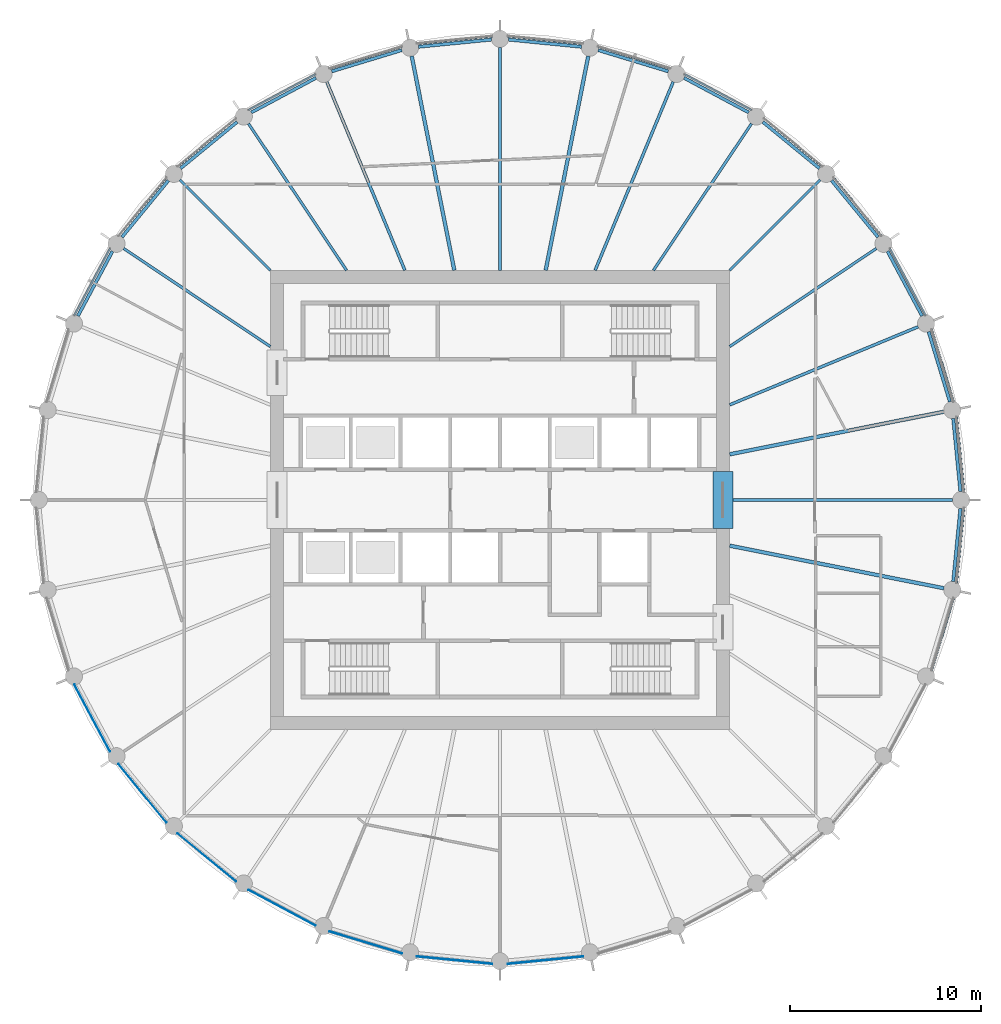
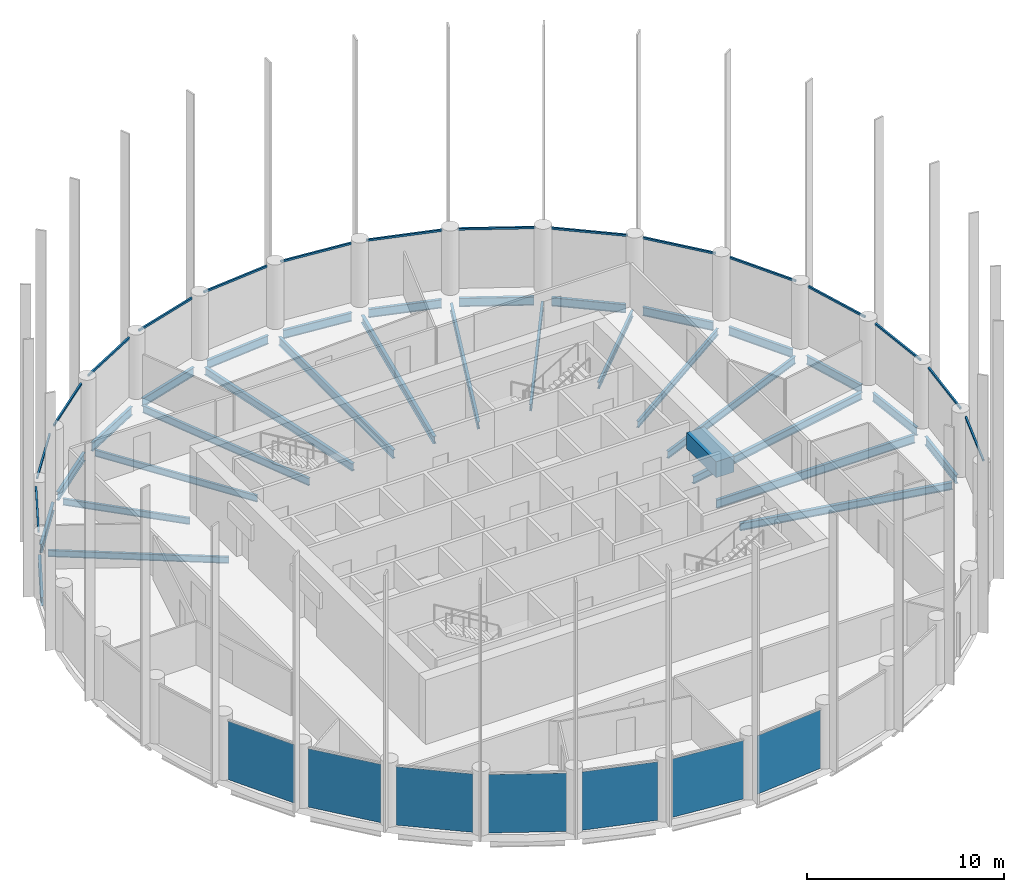
# One storey, part 2 of 9: 31 beams, 16 members, 7 plates, 23 elements without a shape of their own.
"""IFC4 building model written with IfcOpenShell, lengths in metres."""

from ifc_helpers import new_model, si_unit, direction, frame, origin, origin_2d, place, context, subcontext, project, spatial, rectangle, i_section, extrude, material, layer, layer_set, material_profile, profile_set, type_object, element, aggregate, save


model = new_model("IFC4")

# Units and contexts
model_context = context("Model", 3, precision=1e-05, world=origin(), true_north=direction((0.0, 1.0)))
body_context = subcontext(model_context, "Body", "Model", "MODEL_VIEW")
ifc_project = project(units=[si_unit("LENGTHUNIT", "METRE"), si_unit("AREAUNIT", "SQUARE_METRE"), si_unit("VOLUMEUNIT", "CUBIC_METRE"), si_unit("PLANEANGLEUNIT", "RADIAN"), si_unit("MASSUNIT", "GRAM", prefix="KILO")], contexts=[model_context])

# Site, building, storey
site_placement = place(None, origin())
site = spatial("IfcSite", under=ifc_project, at=site_placement, CompositionType="ELEMENT")
building_placement = place(site_placement, origin())
building = spatial("IfcBuilding", under=site, at=building_placement, Name="Corvane Civic Tower", CompositionType="ELEMENT")
storey_placement = place(building_placement, frame((0.0, 0.0, 263.0)))
storey = spatial("IfcBuildingStorey", under=building, at=storey_placement, Name="L62", CompositionType="ELEMENT", Elevation=263.0)

# Beams
ifc_material_1 = material(Name="Concrete C40/50", Category="concrete")
ifc_material_profile_1 = material_profile(ifc_material_1, rectangle(XDim=1.050048828125, YDim=1.0, at=origin_2d()), Name="COUPLING BEAM 1050X1000")
ifc_profile_set_1 = profile_set([ifc_material_profile_1], Name="Concrete C40/50")
beam_type_1 = type_object("IfcBeamType", Name="COUPLING BEAM COUPLING BEAM 1050X1000", PredefinedType="BEAM", material=ifc_profile_set_1)
beam_1_placement = place(storey_placement, frame((11.64990234375, -1.5, 2.60009765625), z_axis=(0.0, 1.0, 0.0), x_axis=(-1.0, 0.0, 0.0)))
element("IfcBeam", 1, at=beam_1_placement, inside=storey, type_object=beam_type_1, Name="BM-L62-cpl-CW-LE", PredefinedType="BEAM", context=body_context, shape_type="SweptSolid", body=[
    extrude(rectangle(XDim=1.050048828125, YDim=1.0, at=origin_2d()), origin(), (0.0, 0.0, 1.0), 3.0),
])
ifc_material_2 = material(Name="Steel ASTM A992 Gr 50", Category="steel")
ifc_material_profile_2 = material_profile(ifc_material_2, i_section(OverallWidth=0.165771484375, OverallDepth=0.5283203125, WebThickness=0.009765625, FlangeThickness=0.013671875, at=origin_2d()), Name="W21X50")
ifc_profile_set_2 = profile_set([ifc_material_profile_2], Name="Steel ASTM A992 Gr 50")
beam_type_2 = type_object("IfcBeamType", Name="EDGE BEAM W21X50", PredefinedType="BEAM", material=ifc_profile_set_2)
for number, where, z_axis, x_axis, name in (
    (2, (0.44775390625, 24.055908203125, -0.714111328125), (0.995187721162, -0.097986732007, 0.0), (0.097986732007, 0.995187721162, 0.0), "BM-L62-E01"),
    (3, (5.13232421875, 23.50634765625, -0.714111328125), (0.95692555902, -0.290333385085, 0.0), (0.290333385085, 0.95692555902, 0.0), "BM-L62-E02"),
):
    element("IfcBeam", number, at=place(storey_placement, frame(where, z_axis=z_axis, x_axis=x_axis)), inside=storey, type_object=beam_type_2, Name=name, PredefinedType="BEAM", context=body_context, shape_type="SweptSolid", body=[
        extrude(i_section(OverallWidth=0.165771484375, OverallDepth=0.5283203125, WebThickness=0.009765625, FlangeThickness=0.013671875, at=origin_2d()), origin(), (0.0, 0.0, 1.0), 3.824462890625),
    ])
beam_2_placement = place(storey_placement, frame((9.61962890625, 22.05322265625, -0.714111328125), z_axis=(0.881914279413, -0.471409804487, 0.0), x_axis=(0.471409804487, 0.881914279413, 0.0)))
element("IfcBeam", 4, at=beam_2_placement, inside=storey, type_object=beam_type_2, Name="BM-L62-E03", PredefinedType="BEAM", context=body_context, shape_type="SweptSolid", body=[
    extrude(i_section(OverallWidth=0.165771484375, OverallDepth=0.5283203125, WebThickness=0.009765625, FlangeThickness=0.013671875, at=origin_2d()), origin(), (0.0, 0.0, 1.0), 3.82421875),
])
for number, where, z_axis, x_axis, name in (
    (5, (13.737060546875, 19.7529296875, -0.714111328125), (0.772997914867, -0.634408562057, 0.0), (0.634408562057, 0.772997914867, 0.0), "BM-L62-E04"),
    (6, (17.32666015625, 16.693359375, -0.714111328125), (0.634408562057, -0.772997914867, 0.0), (0.772997914867, 0.634408562057, 0.0), "BM-L62-E05"),
):
    element("IfcBeam", number, at=place(storey_placement, frame(where, z_axis=z_axis, x_axis=x_axis)), inside=storey, type_object=beam_type_2, Name=name, PredefinedType="BEAM", context=body_context, shape_type="SweptSolid", body=[
        extrude(i_section(OverallWidth=0.165771484375, OverallDepth=0.5283203125, WebThickness=0.009765625, FlangeThickness=0.013671875, at=origin_2d()), origin(), (0.0, 0.0, 1.0), 3.824462890625),
    ])
beam_3_placement = place(storey_placement, frame((20.25048828125, 12.9921875, -0.714111328125), z_axis=(0.471409804487, -0.881914279413, 0.0), x_axis=(0.881914279413, 0.471409804487, 0.0)))
element("IfcBeam", 7, at=beam_3_placement, inside=storey, type_object=beam_type_2, Name="BM-L62-E06", PredefinedType="BEAM", context=body_context, shape_type="SweptSolid", body=[
    extrude(i_section(OverallWidth=0.165771484375, OverallDepth=0.5283203125, WebThickness=0.009765625, FlangeThickness=0.013671875, at=origin_2d()), origin(), (0.0, 0.0, 1.0), 3.82421875),
])
for number, where, z_axis, x_axis, name in (
    (8, (22.39599609375, 8.7919921875, -0.714111328125), (0.290333385085, -0.95692555902, 0.0), (0.95692555902, 0.290333385085, 0.0), "BM-L62-E07"),
    (9, (23.68115234375, 4.25390625, -0.714111328125), (0.097986732007, -0.995187721162, 0.0), (0.995187721162, 0.097986732007, 0.0), "BM-L62-E08"),
    (10, (24.055908203125, -0.44775390625, -0.714111328125), (-0.097986732007, -0.995187721162, 0.0), (0.995187721162, -0.097986732007, 0.0), "BM-L62-E09"),
):
    element("IfcBeam", number, at=place(storey_placement, frame(where, z_axis=z_axis, x_axis=x_axis)), inside=storey, type_object=beam_type_2, Name=name, PredefinedType="BEAM", context=body_context, shape_type="SweptSolid", body=[
        extrude(i_section(OverallWidth=0.165771484375, OverallDepth=0.5283203125, WebThickness=0.009765625, FlangeThickness=0.013671875, at=origin_2d()), origin(), (0.0, 0.0, 1.0), 3.824462890625),
    ])
beam_4_placement = place(storey_placement, frame((-22.05322265625, 9.61962890625, -0.714111328125), z_axis=(0.471409804487, 0.881914279413, 0.0), x_axis=(-0.881914279413, 0.471409804487, 0.0)))
element("IfcBeam", 11, at=beam_4_placement, inside=storey, type_object=beam_type_2, Name="BM-L62-E27", PredefinedType="BEAM", context=body_context, shape_type="SweptSolid", body=[
    extrude(i_section(OverallWidth=0.165771484375, OverallDepth=0.5283203125, WebThickness=0.009765625, FlangeThickness=0.013671875, at=origin_2d()), origin(), (0.0, 0.0, 1.0), 3.82421875),
])
for number, where, z_axis, x_axis, name in (
    (12, (-19.7529296875, 13.737060546875, -0.714111328125), (0.634408562057, 0.772997914867, 0.0), (-0.772997914867, 0.634408562057, 0.0), "BM-L62-E28"),
    (13, (-16.693359375, 17.32666015625, -0.714111328125), (0.772997914867, 0.634408562057, 0.0), (-0.634408562057, 0.772997914867, 0.0), "BM-L62-E29"),
):
    element("IfcBeam", number, at=place(storey_placement, frame(where, z_axis=z_axis, x_axis=x_axis)), inside=storey, type_object=beam_type_2, Name=name, PredefinedType="BEAM", context=body_context, shape_type="SweptSolid", body=[
        extrude(i_section(OverallWidth=0.165771484375, OverallDepth=0.5283203125, WebThickness=0.009765625, FlangeThickness=0.013671875, at=origin_2d()), origin(), (0.0, 0.0, 1.0), 3.824462890625),
    ])
beam_5_placement = place(storey_placement, frame((-12.9921875, 20.25048828125, -0.714111328125), z_axis=(0.881914279413, 0.471409804487, 0.0), x_axis=(-0.471409804487, 0.881914279413, 0.0)))
element("IfcBeam", 14, at=beam_5_placement, inside=storey, type_object=beam_type_2, Name="BM-L62-E30", PredefinedType="BEAM", context=body_context, shape_type="SweptSolid", body=[
    extrude(i_section(OverallWidth=0.165771484375, OverallDepth=0.5283203125, WebThickness=0.009765625, FlangeThickness=0.013671875, at=origin_2d()), origin(), (0.0, 0.0, 1.0), 3.82421875),
])
for number, where, z_axis, x_axis, name in (
    (15, (-8.7919921875, 22.39599609375, -0.714111328125), (0.95692555902, 0.290333385085, 0.0), (-0.290333385085, 0.95692555902, 0.0), "BM-L62-E31"),
    (16, (-4.25390625, 23.68115234375, -0.714111328125), (0.995187721162, 0.097986732007, 0.0), (-0.097986732007, 0.995187721162, 0.0), "BM-L62-E32"),
):
    element("IfcBeam", number, at=place(storey_placement, frame(where, z_axis=z_axis, x_axis=x_axis)), inside=storey, type_object=beam_type_2, Name=name, PredefinedType="BEAM", context=body_context, shape_type="SweptSolid", body=[
        extrude(i_section(OverallWidth=0.165771484375, OverallDepth=0.5283203125, WebThickness=0.009765625, FlangeThickness=0.013671875, at=origin_2d()), origin(), (0.0, 0.0, 1.0), 3.824462890625),
    ])
ifc_material_3 = material(Name="Steel ASTM A992 Gr 50", Category="steel")
ifc_material_profile_3 = material_profile(ifc_material_3, i_section(OverallWidth=0.140380859375, OverallDepth=0.40380859375, WebThickness=0.007080078125, FlangeThickness=0.01123046875, at=origin_2d()), Name="W16X31")
ifc_profile_set_3 = profile_set([ifc_material_profile_3], Name="Steel ASTM A992 Gr 50")
beam_type_3 = type_object("IfcBeamType", Name="FLOOR GIRDER W16X31", PredefinedType="BEAM", material=ifc_profile_set_3)
beam_6_placement = place(storey_placement, frame((8.01806640625, 12.0, -0.65185546875), z_axis=(0.555567816355, 0.831471227061, 0.0), x_axis=(-0.831471227061, 0.555567816355, 0.0)))
element("IfcBeam", 17, at=beam_6_placement, inside=storey, type_object=beam_type_3, Name="BM-L62-G04", PredefinedType="BEAM", context=body_context, shape_type="SweptSolid", body=[
    extrude(i_section(OverallWidth=0.140380859375, OverallDepth=0.40380859375, WebThickness=0.007080078125, FlangeThickness=0.01123046875, at=origin_2d()), origin(), (0.0, 0.0, 1.0), 9.2177734375),
])
beam_7_placement = place(storey_placement, frame((12.0, 12.0, -0.65185546875), z_axis=(0.707106781187, 0.707106781187, 0.0), x_axis=(-0.707106781187, 0.707106781187, 0.0)))
element("IfcBeam", 18, at=beam_7_placement, inside=storey, type_object=beam_type_3, Name="BM-L62-G05", PredefinedType="BEAM", context=body_context, shape_type="SweptSolid", body=[
    extrude(i_section(OverallWidth=0.140380859375, OverallDepth=0.40380859375, WebThickness=0.007080078125, FlangeThickness=0.01123046875, at=origin_2d()), origin(), (0.0, 0.0, 1.0), 6.679443359375),
])
for number, where, z_axis, x_axis, name in (
    (19, (12.0, 8.01806640625, -0.65185546875), (0.831471227061, 0.555567816355, 0.0), (-0.555567816355, 0.831471227061, 0.0), "BM-L62-G06"),
    (20, (-12.0, 8.01806640625, -0.65185546875), (-0.831471227061, 0.555567816355, 0.0), (-0.555567816355, -0.831471227061, 0.0), "BM-L62-G28"),
):
    element("IfcBeam", number, at=place(storey_placement, frame(where, z_axis=z_axis, x_axis=x_axis)), inside=storey, type_object=beam_type_3, Name=name, PredefinedType="BEAM", context=body_context, shape_type="SweptSolid", body=[
        extrude(i_section(OverallWidth=0.140380859375, OverallDepth=0.40380859375, WebThickness=0.007080078125, FlangeThickness=0.01123046875, at=origin_2d()), origin(), (0.0, 0.0, 1.0), 9.2177734375),
    ])
beam_8_placement = place(storey_placement, frame((-12.0, 12.0, -0.65185546875), z_axis=(-0.707106781187, 0.707106781187, 0.0), x_axis=(-0.707106781187, -0.707106781187, 0.0)))
element("IfcBeam", 21, at=beam_8_placement, inside=storey, type_object=beam_type_3, Name="BM-L62-G29", PredefinedType="BEAM", context=body_context, shape_type="SweptSolid", body=[
    extrude(i_section(OverallWidth=0.140380859375, OverallDepth=0.40380859375, WebThickness=0.007080078125, FlangeThickness=0.01123046875, at=origin_2d()), origin(), (0.0, 0.0, 1.0), 6.679443359375),
])
beam_9_placement = place(storey_placement, frame((-8.01806640625, 12.0, -0.65185546875), z_axis=(-0.555567816355, 0.831471227061, 0.0), x_axis=(-0.831471227061, -0.555567816355, 0.0)))
element("IfcBeam", 22, at=beam_9_placement, inside=storey, type_object=beam_type_3, Name="BM-L62-G30", PredefinedType="BEAM", context=body_context, shape_type="SweptSolid", body=[
    extrude(i_section(OverallWidth=0.140380859375, OverallDepth=0.40380859375, WebThickness=0.007080078125, FlangeThickness=0.01123046875, at=origin_2d()), origin(), (0.0, 0.0, 1.0), 9.2177734375),
])
ifc_material_4 = material(Name="Steel ASTM A992 Gr 50", Category="steel")
ifc_material_profile_4 = material_profile(ifc_material_4, i_section(OverallWidth=0.15283203125, OverallDepth=0.45458984375, WebThickness=0.008056640625, FlangeThickness=0.013427734375, at=origin_2d()), Name="W18X40")
ifc_profile_set_4 = profile_set([ifc_material_profile_4], Name="Steel ASTM A992 Gr 50")
beam_type_4 = type_object("IfcBeamType", Name="FLOOR GIRDER W18X40", PredefinedType="BEAM", material=ifc_profile_set_4)
for number, where, z_axis, x_axis, name in (
    (23, (4.970458984375, 12.0, -0.67724609375), (0.382694257331, 0.923875048589, 0.0), (-0.923875048589, 0.382694257331, 0.0), "BM-L62-G03"),
    (24, (12.0, 4.970458984375, -0.67724609375), (0.923875048589, 0.382694257331, 0.0), (-0.382694257331, 0.923875048589, 0.0), "BM-L62-G07"),
    (25, (-4.970458984375, 12.0, -0.67724609375), (-0.382694257331, 0.923875048589, 0.0), (-0.923875048589, -0.382694257331, 0.0), "BM-L62-G31"),
):
    element("IfcBeam", number, at=place(storey_placement, frame(where, z_axis=z_axis, x_axis=x_axis)), inside=storey, type_object=beam_type_4, Name=name, PredefinedType="BEAM", context=body_context, shape_type="SweptSolid", body=[
        extrude(i_section(OverallWidth=0.15283203125, OverallDepth=0.45458984375, WebThickness=0.008056640625, FlangeThickness=0.013427734375, at=origin_2d()), origin(), (0.0, 0.0, 1.0), 10.661376953125),
    ])
ifc_material_5 = material(Name="Steel ASTM A992 Gr 50", Category="steel")
ifc_material_profile_5 = material_profile(ifc_material_5, i_section(OverallWidth=0.1904296875, OverallDepth=0.457275390625, WebThickness=0.009033203125, FlangeThickness=0.014404296875, at=origin_2d()), Name="W18X50")
ifc_profile_set_5 = profile_set([ifc_material_profile_5], Name="Steel ASTM A992 Gr 50")
beam_type_5 = type_object("IfcBeamType", Name="FLOOR GIRDER W18X50", PredefinedType="BEAM", material=ifc_profile_set_5)
for number, where, z_axis, x_axis, name in (
    (26, (2.386962890625, 12.0, -0.6787109375), (0.195079532402, 0.980787426529, 0.0), (-0.980787426529, 0.195079532402, 0.0), "BM-L62-G02"),
    (27, (12.0, 2.386962890625, -0.6787109375), (0.980787426529, 0.195079532402, 0.0), (-0.195079532402, 0.980787426529, 0.0), "BM-L62-G08"),
    (28, (12.0, -2.386962890625, -0.6787109375), (0.980787426529, -0.195079532402, 0.0), (0.195079532402, 0.980787426529, 0.0), "BM-L62-G10"),
    (29, (-2.386962890625, 12.0, -0.6787109375), (-0.195079532402, 0.980787426529, 0.0), (-0.980787426529, -0.195079532402, 0.0), "BM-L62-G32"),
):
    element("IfcBeam", number, at=place(storey_placement, frame(where, z_axis=z_axis, x_axis=x_axis)), inside=storey, type_object=beam_type_5, Name=name, PredefinedType="BEAM", context=body_context, shape_type="SweptSolid", body=[
        extrude(i_section(OverallWidth=0.1904296875, OverallDepth=0.457275390625, WebThickness=0.009033203125, FlangeThickness=0.014404296875, at=origin_2d()), origin(), (0.0, 0.0, 1.0), 11.414794921875),
    ])
ifc_material_6 = material(Name="Steel ASTM A992 Gr 50", Category="steel")
ifc_material_profile_6 = material_profile(ifc_material_6, i_section(OverallWidth=0.165771484375, OverallDepth=0.5283203125, WebThickness=0.009765625, FlangeThickness=0.013671875, at=origin_2d()), Name="W21X50")
ifc_profile_set_6 = profile_set([ifc_material_profile_6], Name="Steel ASTM A992 Gr 50")
beam_type_6 = type_object("IfcBeamType", Name="FLOOR GIRDER W21X50", PredefinedType="BEAM", material=ifc_profile_set_6)
for number, where, z_axis, x_axis, name in (
    (30, (0.0, 12.0, -0.714111328125), (0.0, 1.0, 0.0), (-1.0, 0.0, 0.0), "BM-L62-G01"),
    (31, (12.0, 0.0, -0.714111328125), (1.0, 0.0, 0.0), (0.0, 1.0, 0.0), "BM-L62-G09"),
):
    element("IfcBeam", number, at=place(storey_placement, frame(where, z_axis=z_axis, x_axis=x_axis)), inside=storey, type_object=beam_type_6, Name=name, PredefinedType="BEAM", context=body_context, shape_type="SweptSolid", body=[
        extrude(i_section(OverallWidth=0.165771484375, OverallDepth=0.5283203125, WebThickness=0.009765625, FlangeThickness=0.013671875, at=origin_2d()), origin(), (0.0, 0.0, 1.0), 11.64990234375),
    ])

# Curtain wall, member
ifc_material_7 = material(Name="Anodised aluminium bronze", Category="aluminium")
curtain_wall_type = type_object("IfcCurtainWallType", Name="TOWER CW-T3 STICK CURTAIN WALL", PredefinedType="NOTDEFINED", material=ifc_material_7)
curtain_wall_1_placement = place(storey_placement, origin())
curtain_wall_1 = element("IfcCurtainWall", 32, at=curtain_wall_1_placement, inside=storey, type_object=curtain_wall_type, Name="Curtain wall CW-T3 L62 bay 01", PredefinedType="NOTDEFINED")
ifc_material_8 = material(Name="Anodised aluminium bronze", Category="aluminium")
ifc_material_profile_7 = material_profile(ifc_material_8, rectangle(XDim=0.10009765625, YDim=0.1201171875, at=origin_2d()), Name="TOWER CW-T3 TRANSOM 100x120")
ifc_profile_set_7 = profile_set([ifc_material_profile_7], Name="Anodised aluminium bronze")
member_type = type_object("IfcMemberType", Name="TOWER CW-T3 TRANSOM 100x120", PredefinedType="USERDEFINED", material=ifc_profile_set_7)
member_1_placement = place(storey_placement, frame((0.3984375, 24.24072265625, 3.68994140625), z_axis=(0.995186866683, -0.097995409999, 0.0), x_axis=(0.097995409999, 0.995186866683, 0.0)))
member_1 = element("IfcMember", 33, at=member_1_placement, type_object=member_type, Name="Transom CW-T3 L62 01.1", ObjectType="TRANSOM", PredefinedType="USERDEFINED", context=body_context, shape_type="SweptSolid", body=[
    extrude(rectangle(XDim=0.10009765625, YDim=0.1201171875, at=origin_2d()), origin(), (0.0, 0.0, 1.0), 3.958740234375),
])
aggregate(curtain_wall_1, [member_1])

curtain_wall_2_placement = place(storey_placement, origin())
curtain_wall_2 = element("IfcCurtainWall", 34, at=curtain_wall_2_placement, inside=storey, type_object=curtain_wall_type, Name="Curtain wall CW-T3 L62 bay 02", PredefinedType="NOTDEFINED")
member_2_placement = place(storey_placement, frame((5.119873046875, 23.697265625, 3.68994140625), z_axis=(0.956946054205, -0.290265825309, 0.0), x_axis=(0.290265825309, 0.956946054205, 0.0)))
member_2 = element("IfcMember", 35, at=member_2_placement, type_object=member_type, Name="Transom CW-T3 L62 02.1", ObjectType="TRANSOM", PredefinedType="USERDEFINED", context=body_context, shape_type="SweptSolid", body=[
    extrude(rectangle(XDim=0.10009765625, YDim=0.1201171875, at=origin_2d()), origin(), (0.0, 0.0, 1.0), 3.958984375),
])
aggregate(curtain_wall_2, [member_2])

curtain_wall_3_placement = place(storey_placement, origin())
curtain_wall_3 = element("IfcCurtainWall", 36, at=curtain_wall_3_placement, inside=storey, type_object=curtain_wall_type, Name="Curtain wall CW-T3 L62 bay 03", PredefinedType="NOTDEFINED")
member_3_placement = place(storey_placement, frame((9.644775390625, 22.2431640625, 3.68994140625), z_axis=(0.881883040816, -0.471468241052, 0.0), x_axis=(0.471468241052, 0.881883040816, 0.0)))
member_3 = element("IfcMember", 37, at=member_3_placement, type_object=member_type, Name="Transom CW-T3 L62 03.1", ObjectType="TRANSOM", PredefinedType="USERDEFINED", context=body_context, shape_type="SweptSolid", body=[
    extrude(rectangle(XDim=0.10009765625, YDim=0.1201171875, at=origin_2d()), origin(), (0.0, 0.0, 1.0), 3.958740234375),
])
aggregate(curtain_wall_3, [member_3])

curtain_wall_4_placement = place(storey_placement, origin())
curtain_wall_4 = element("IfcCurtainWall", 38, at=curtain_wall_4_placement, inside=storey, type_object=curtain_wall_type, Name="Curtain wall CW-T3 L62 bay 04", PredefinedType="NOTDEFINED")
member_4_placement = place(storey_placement, frame((13.798828125, 19.93408203125, 3.68994140625), z_axis=(0.772991943051, -0.634415838373, 0.0), x_axis=(0.634415838373, 0.772991943051, 0.0)))
member_4 = element("IfcMember", 39, at=member_4_placement, type_object=member_type, Name="Transom CW-T3 L62 04.1", ObjectType="TRANSOM", PredefinedType="USERDEFINED", context=body_context, shape_type="SweptSolid", body=[
    extrude(rectangle(XDim=0.10009765625, YDim=0.1201171875, at=origin_2d()), origin(), (0.0, 0.0, 1.0), 3.958740234375),
])
aggregate(curtain_wall_4, [member_4])

curtain_wall_5_placement = place(storey_placement, origin())
curtain_wall_5 = element("IfcCurtainWall", 40, at=curtain_wall_5_placement, inside=storey, type_object=curtain_wall_type, Name="Curtain wall CW-T3 L62 bay 05", PredefinedType="NOTDEFINED")
member_5_placement = place(storey_placement, frame((17.422607421875, 16.85888671875, 3.68994140625), z_axis=(0.634415838373, -0.772991943051, 0.0), x_axis=(0.772991943051, 0.634415838373, 0.0)))
member_5 = element("IfcMember", 41, at=member_5_placement, type_object=member_type, Name="Transom CW-T3 L62 05.1", ObjectType="TRANSOM", PredefinedType="USERDEFINED", context=body_context, shape_type="SweptSolid", body=[
    extrude(rectangle(XDim=0.10009765625, YDim=0.1201171875, at=origin_2d()), origin(), (0.0, 0.0, 1.0), 3.958740234375),
])
aggregate(curtain_wall_5, [member_5])

curtain_wall_6_placement = place(storey_placement, origin())
curtain_wall_6 = element("IfcCurtainWall", 42, at=curtain_wall_6_placement, inside=storey, type_object=curtain_wall_type, Name="Curtain wall CW-T3 L62 bay 06", PredefinedType="NOTDEFINED")
member_6_placement = place(storey_placement, frame((20.376708984375, 13.135986328125, 3.68994140625), z_axis=(0.471468241052, -0.881883040816, 0.0), x_axis=(0.881883040816, 0.471468241052, 0.0)))
member_6 = element("IfcMember", 43, at=member_6_placement, type_object=member_type, Name="Transom CW-T3 L62 06.1", ObjectType="TRANSOM", PredefinedType="USERDEFINED", context=body_context, shape_type="SweptSolid", body=[
    extrude(rectangle(XDim=0.10009765625, YDim=0.1201171875, at=origin_2d()), origin(), (0.0, 0.0, 1.0), 3.958740234375),
])
aggregate(curtain_wall_6, [member_6])

curtain_wall_7_placement = place(storey_placement, origin())
curtain_wall_7 = element("IfcCurtainWall", 44, at=curtain_wall_7_placement, inside=storey, type_object=curtain_wall_type, Name="Curtain wall CW-T3 L62 bay 07", PredefinedType="NOTDEFINED")
member_7_placement = place(storey_placement, frame((22.548095703125, 8.908447265625, 3.68994140625), z_axis=(0.290265825309, -0.956946054205, 0.0), x_axis=(0.956946054205, 0.290265825309, 0.0)))
member_7 = element("IfcMember", 45, at=member_7_placement, type_object=member_type, Name="Transom CW-T3 L62 07.1", ObjectType="TRANSOM", PredefinedType="USERDEFINED", context=body_context, shape_type="SweptSolid", body=[
    extrude(rectangle(XDim=0.10009765625, YDim=0.1201171875, at=origin_2d()), origin(), (0.0, 0.0, 1.0), 3.958984375),
])
aggregate(curtain_wall_7, [member_7])

curtain_wall_8_placement = place(storey_placement, origin())
curtain_wall_8 = element("IfcCurtainWall", 46, at=curtain_wall_8_placement, inside=storey, type_object=curtain_wall_type, Name="Curtain wall CW-T3 L62 bay 08", PredefinedType="NOTDEFINED")
member_8_placement = place(storey_placement, frame((23.852783203125, 4.338134765625, 3.68994140625), z_axis=(0.097995409999, -0.995186866683, 0.0), x_axis=(0.995186866683, 0.097995409999, 0.0)))
member_8 = element("IfcMember", 47, at=member_8_placement, type_object=member_type, Name="Transom CW-T3 L62 08.1", ObjectType="TRANSOM", PredefinedType="USERDEFINED", context=body_context, shape_type="SweptSolid", body=[
    extrude(rectangle(XDim=0.10009765625, YDim=0.1201171875, at=origin_2d()), origin(), (0.0, 0.0, 1.0), 3.958740234375),
])
aggregate(curtain_wall_8, [member_8])

curtain_wall_9_placement = place(storey_placement, origin())
curtain_wall_9 = element("IfcCurtainWall", 48, at=curtain_wall_9_placement, inside=storey, type_object=curtain_wall_type, Name="Curtain wall CW-T3 L62 bay 09", PredefinedType="NOTDEFINED")
member_9_placement = place(storey_placement, frame((24.24072265625, -0.3984375, 3.68994140625), z_axis=(-0.097995409999, -0.995186866683, 0.0), x_axis=(0.995186866683, -0.097995409999, 0.0)))
member_9 = element("IfcMember", 49, at=member_9_placement, type_object=member_type, Name="Transom CW-T3 L62 09.1", ObjectType="TRANSOM", PredefinedType="USERDEFINED", context=body_context, shape_type="SweptSolid", body=[
    extrude(rectangle(XDim=0.10009765625, YDim=0.1201171875, at=origin_2d()), origin(), (0.0, 0.0, 1.0), 3.958740234375),
])
aggregate(curtain_wall_9, [member_9])

curtain_wall_10_placement = place(storey_placement, origin())
curtain_wall_10 = element("IfcCurtainWall", 50, at=curtain_wall_10_placement, inside=storey, type_object=curtain_wall_type, Name="Curtain wall CW-T3 L62 bay 10", PredefinedType="NOTDEFINED")
member_10_placement = place(storey_placement, frame((23.697265625, -5.119873046875, 3.68994140625), z_axis=(-0.290265825309, -0.956946054205, 0.0), x_axis=(0.956946054205, -0.290265825309, 0.0)))
member_10 = element("IfcMember", 51, at=member_10_placement, type_object=member_type, Name="Transom CW-T3 L62 10.1", ObjectType="TRANSOM", PredefinedType="USERDEFINED", context=body_context, shape_type="SweptSolid", body=[
    extrude(rectangle(XDim=0.10009765625, YDim=0.1201171875, at=origin_2d()), origin(), (0.0, 0.0, 1.0), 3.958984375),
])
aggregate(curtain_wall_10, [member_10])

curtain_wall_11_placement = place(storey_placement, origin())
curtain_wall_11 = element("IfcCurtainWall", 52, at=curtain_wall_11_placement, inside=storey, type_object=curtain_wall_type, Name="Curtain wall CW-T3 L62 bay 27", PredefinedType="NOTDEFINED")
member_11_placement = place(storey_placement, frame((-22.2431640625, 9.644775390625, 3.68994140625), z_axis=(0.471468241052, 0.881883040816, 0.0), x_axis=(-0.881883040816, 0.471468241052, 0.0)))
member_11 = element("IfcMember", 53, at=member_11_placement, type_object=member_type, Name="Transom CW-T3 L62 27.1", ObjectType="TRANSOM", PredefinedType="USERDEFINED", context=body_context, shape_type="SweptSolid", body=[
    extrude(rectangle(XDim=0.10009765625, YDim=0.1201171875, at=origin_2d()), origin(), (0.0, 0.0, 1.0), 3.958740234375),
])
aggregate(curtain_wall_11, [member_11])

curtain_wall_12_placement = place(storey_placement, origin())
curtain_wall_12 = element("IfcCurtainWall", 54, at=curtain_wall_12_placement, inside=storey, type_object=curtain_wall_type, Name="Curtain wall CW-T3 L62 bay 28", PredefinedType="NOTDEFINED")
member_12_placement = place(storey_placement, frame((-19.93408203125, 13.798828125, 3.68994140625), z_axis=(0.634415838373, 0.772991943051, 0.0), x_axis=(-0.772991943051, 0.634415838373, 0.0)))
member_12 = element("IfcMember", 55, at=member_12_placement, type_object=member_type, Name="Transom CW-T3 L62 28.1", ObjectType="TRANSOM", PredefinedType="USERDEFINED", context=body_context, shape_type="SweptSolid", body=[
    extrude(rectangle(XDim=0.10009765625, YDim=0.1201171875, at=origin_2d()), origin(), (0.0, 0.0, 1.0), 3.958740234375),
])
aggregate(curtain_wall_12, [member_12])

curtain_wall_13_placement = place(storey_placement, origin())
curtain_wall_13 = element("IfcCurtainWall", 56, at=curtain_wall_13_placement, inside=storey, type_object=curtain_wall_type, Name="Curtain wall CW-T3 L62 bay 29", PredefinedType="NOTDEFINED")
member_13_placement = place(storey_placement, frame((-16.85888671875, 17.422607421875, 3.68994140625), z_axis=(0.772991943051, 0.634415838373, 0.0), x_axis=(-0.634415838373, 0.772991943051, 0.0)))
member_13 = element("IfcMember", 57, at=member_13_placement, type_object=member_type, Name="Transom CW-T3 L62 29.1", ObjectType="TRANSOM", PredefinedType="USERDEFINED", context=body_context, shape_type="SweptSolid", body=[
    extrude(rectangle(XDim=0.10009765625, YDim=0.1201171875, at=origin_2d()), origin(), (0.0, 0.0, 1.0), 3.958740234375),
])
aggregate(curtain_wall_13, [member_13])

curtain_wall_14_placement = place(storey_placement, origin())
curtain_wall_14 = element("IfcCurtainWall", 58, at=curtain_wall_14_placement, inside=storey, type_object=curtain_wall_type, Name="Curtain wall CW-T3 L62 bay 30", PredefinedType="NOTDEFINED")
member_14_placement = place(storey_placement, frame((-13.135986328125, 20.376708984375, 3.68994140625), z_axis=(0.881883040816, 0.471468241052, 0.0), x_axis=(-0.471468241052, 0.881883040816, 0.0)))
member_14 = element("IfcMember", 59, at=member_14_placement, type_object=member_type, Name="Transom CW-T3 L62 30.1", ObjectType="TRANSOM", PredefinedType="USERDEFINED", context=body_context, shape_type="SweptSolid", body=[
    extrude(rectangle(XDim=0.10009765625, YDim=0.1201171875, at=origin_2d()), origin(), (0.0, 0.0, 1.0), 3.958740234375),
])
aggregate(curtain_wall_14, [member_14])

curtain_wall_15_placement = place(storey_placement, origin())
curtain_wall_15 = element("IfcCurtainWall", 60, at=curtain_wall_15_placement, inside=storey, type_object=curtain_wall_type, Name="Curtain wall CW-T3 L62 bay 31", PredefinedType="NOTDEFINED")
member_15_placement = place(storey_placement, frame((-8.908447265625, 22.548095703125, 3.68994140625), z_axis=(0.956946054205, 0.290265825309, 0.0), x_axis=(-0.290265825309, 0.956946054205, 0.0)))
member_15 = element("IfcMember", 61, at=member_15_placement, type_object=member_type, Name="Transom CW-T3 L62 31.1", ObjectType="TRANSOM", PredefinedType="USERDEFINED", context=body_context, shape_type="SweptSolid", body=[
    extrude(rectangle(XDim=0.10009765625, YDim=0.1201171875, at=origin_2d()), origin(), (0.0, 0.0, 1.0), 3.958984375),
])
aggregate(curtain_wall_15, [member_15])

curtain_wall_16_placement = place(storey_placement, origin())
curtain_wall_16 = element("IfcCurtainWall", 62, at=curtain_wall_16_placement, inside=storey, type_object=curtain_wall_type, Name="Curtain wall CW-T3 L62 bay 32", PredefinedType="NOTDEFINED")
member_16_placement = place(storey_placement, frame((-4.338134765625, 23.852783203125, 3.68994140625), z_axis=(0.995186866683, 0.097995409999, 0.0), x_axis=(-0.097995409999, 0.995186866683, 0.0)))
member_16 = element("IfcMember", 63, at=member_16_placement, type_object=member_type, Name="Transom CW-T3 L62 32.1", ObjectType="TRANSOM", PredefinedType="USERDEFINED", context=body_context, shape_type="SweptSolid", body=[
    extrude(rectangle(XDim=0.10009765625, YDim=0.1201171875, at=origin_2d()), origin(), (0.0, 0.0, 1.0), 3.958740234375),
])
aggregate(curtain_wall_16, [member_16])

# Curtain wall, plate
curtain_wall_17_placement = place(storey_placement, origin())
curtain_wall_17 = element("IfcCurtainWall", 64, at=curtain_wall_17_placement, inside=storey, type_object=curtain_wall_type, Name="Curtain wall CW-T3 L62 bay 16", PredefinedType="NOTDEFINED")
ifc_material_9 = material(Name="Tinted glass", Category="glass")
ifc_layer = layer(ifc_material_9, 0.028076171875)
ifc_layer_set = layer_set([ifc_layer], Name="Tinted glass")
plate_type = type_object("IfcPlateType", Name="TOWER CW-T3 PANEL IGU28", PredefinedType="CURTAIN_PANEL", material=ifc_layer_set)
plate_1_placement = place(storey_placement, frame((2.368408203125, -24.046875, 0.0), z_axis=(0.0, 0.0, 1.0), x_axis=(-0.99518437747, -0.098020685775, 0.0)))
plate_1 = element("IfcPlate", 65, at=plate_1_placement, type_object=plate_type, Name="Glass panel CW-T3 L62 16.1", PredefinedType="CURTAIN_PANEL", context=body_context, shape_type="SweptSolid", body=[
    extrude(rectangle(XDim=3.958740234375, YDim=0.028076171875, at=origin_2d()), origin(), (0.0, 0.0, 1.0), 3.6298828125),
])
aggregate(curtain_wall_17, [plate_1])

curtain_wall_18_placement = place(storey_placement, origin())
curtain_wall_18 = element("IfcCurtainWall", 66, at=curtain_wall_18_placement, inside=storey, type_object=curtain_wall_type, Name="Curtain wall CW-T3 L62 bay 17", PredefinedType="NOTDEFINED")
plate_2_placement = place(storey_placement, frame((-2.368408203125, -24.046875, 0.0), z_axis=(0.0, 0.0, 1.0), x_axis=(-0.99518437747, 0.098020685775, 0.0)))
plate_2 = element("IfcPlate", 67, at=plate_2_placement, type_object=plate_type, Name="Glass panel CW-T3 L62 17.1", PredefinedType="CURTAIN_PANEL", context=body_context, shape_type="SweptSolid", body=[
    extrude(rectangle(XDim=3.958740234375, YDim=0.028076171875, at=origin_2d()), origin(), (0.0, 0.0, 1.0), 3.6298828125),
])
aggregate(curtain_wall_18, [plate_2])

curtain_wall_19_placement = place(storey_placement, origin())
curtain_wall_19 = element("IfcCurtainWall", 68, at=curtain_wall_19_placement, inside=storey, type_object=curtain_wall_type, Name="Curtain wall CW-T3 L62 bay 18", PredefinedType="NOTDEFINED")
plate_3_placement = place(storey_placement, frame((-7.01416015625, -23.12255859375, 0.0), z_axis=(0.0, 0.0, 1.0), x_axis=(-0.956943694519, 0.290273604586, 0.0)))
plate_3 = element("IfcPlate", 69, at=plate_3_placement, type_object=plate_type, Name="Glass panel CW-T3 L62 18.1", PredefinedType="CURTAIN_PANEL", context=body_context, shape_type="SweptSolid", body=[
    extrude(rectangle(XDim=3.958984375, YDim=0.028076171875, at=origin_2d()), origin(), (0.0, 0.0, 1.0), 3.6298828125),
])
aggregate(curtain_wall_19, [plate_3])

curtain_wall_20_placement = place(storey_placement, origin())
curtain_wall_20 = element("IfcCurtainWall", 70, at=curtain_wall_20_placement, inside=storey, type_object=curtain_wall_type, Name="Curtain wall CW-T3 L62 bay 19", PredefinedType="NOTDEFINED")
plate_4_placement = place(storey_placement, frame((-11.390380859375, -21.31005859375, 0.0), z_axis=(0.0, 0.0, 1.0), x_axis=(-0.881908138655, 0.471421292448, 0.0)))
plate_4 = element("IfcPlate", 71, at=plate_4_placement, type_object=plate_type, Name="Glass panel CW-T3 L62 19.1", PredefinedType="CURTAIN_PANEL", context=body_context, shape_type="SweptSolid", body=[
    extrude(rectangle(XDim=3.958740234375, YDim=0.028076171875, at=origin_2d()), origin(), (0.0, 0.0, 1.0), 3.6298828125),
])
aggregate(curtain_wall_20, [plate_4])

curtain_wall_21_placement = place(storey_placement, origin())
curtain_wall_21 = element("IfcCurtainWall", 72, at=curtain_wall_21_placement, inside=storey, type_object=curtain_wall_type, Name="Curtain wall CW-T3 L62 bay 20", PredefinedType="NOTDEFINED")
plate_5_placement = place(storey_placement, frame((-15.328857421875, -18.67822265625, 0.0), z_axis=(0.0, 0.0, 1.0), x_axis=(-0.773001130565, 0.634404643855, 0.0)))
plate_5 = element("IfcPlate", 73, at=plate_5_placement, type_object=plate_type, Name="Glass panel CW-T3 L62 20.1", PredefinedType="CURTAIN_PANEL", context=body_context, shape_type="SweptSolid", body=[
    extrude(rectangle(XDim=3.958740234375, YDim=0.028076171875, at=origin_2d()), origin(), (0.0, 0.0, 1.0), 3.6298828125),
])
aggregate(curtain_wall_21, [plate_5])

curtain_wall_22_placement = place(storey_placement, origin())
curtain_wall_22 = element("IfcCurtainWall", 74, at=curtain_wall_22_placement, inside=storey, type_object=curtain_wall_type, Name="Curtain wall CW-T3 L62 bay 21", PredefinedType="NOTDEFINED")
plate_6_placement = place(storey_placement, frame((-18.67822265625, -15.328857421875, 0.0), z_axis=(0.0, 0.0, 1.0), x_axis=(-0.634404643855, 0.773001130565, 0.0)))
plate_6 = element("IfcPlate", 75, at=plate_6_placement, type_object=plate_type, Name="Glass panel CW-T3 L62 21.1", PredefinedType="CURTAIN_PANEL", context=body_context, shape_type="SweptSolid", body=[
    extrude(rectangle(XDim=3.958740234375, YDim=0.028076171875, at=origin_2d()), origin(), (0.0, 0.0, 1.0), 3.6298828125),
])
aggregate(curtain_wall_22, [plate_6])

curtain_wall_23_placement = place(storey_placement, origin())
curtain_wall_23 = element("IfcCurtainWall", 76, at=curtain_wall_23_placement, inside=storey, type_object=curtain_wall_type, Name="Curtain wall CW-T3 L62 bay 22", PredefinedType="NOTDEFINED")
plate_7_placement = place(storey_placement, frame((-21.31005859375, -11.390380859375, 0.0), z_axis=(0.0, 0.0, 1.0), x_axis=(-0.471421292448, 0.881908138655, 0.0)))
plate_7 = element("IfcPlate", 77, at=plate_7_placement, type_object=plate_type, Name="Glass panel CW-T3 L62 22.1", PredefinedType="CURTAIN_PANEL", context=body_context, shape_type="SweptSolid", body=[
    extrude(rectangle(XDim=3.958740234375, YDim=0.028076171875, at=origin_2d()), origin(), (0.0, 0.0, 1.0), 3.6298828125),
])
aggregate(curtain_wall_23, [plate_7])

save(model, "model.ifc")
